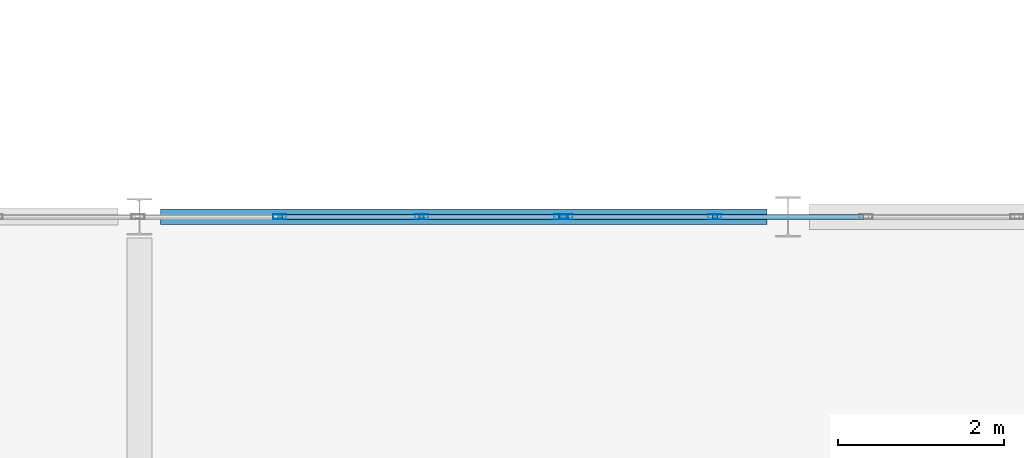
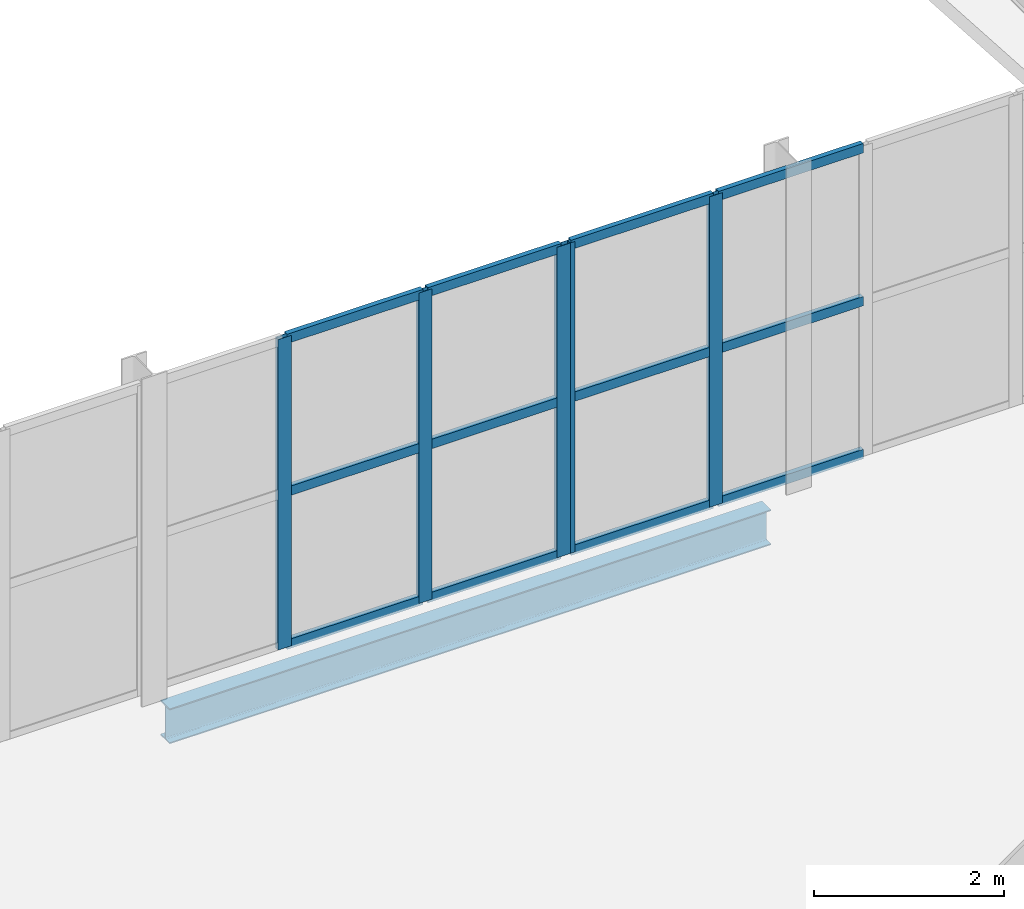
# One storey, part 68 of 121: 17 members, 1 beam, 2 elements without a shape of their own.
"""IFC4 building model written with IfcOpenShell, lengths in metres."""

from ifc_helpers import new_model, si_unit, direction, frame, origin, origin_2d, place, context, subcontext, project, spatial, hollow_rectangle, i_section, extrude, material, layer, layer_set, material_profile, profile_set, type_object, element, aggregate, save


model = new_model("IFC4")

# Units and contexts
model_context = context("Model", 3, precision=1e-05, world=origin(), true_north=direction((0.0, 1.0)))
body_context = subcontext(model_context, "Body", "Model", "MODEL_VIEW")
ifc_project = project(units=[si_unit("LENGTHUNIT", "METRE"), si_unit("AREAUNIT", "SQUARE_METRE"), si_unit("VOLUMEUNIT", "CUBIC_METRE"), si_unit("PLANEANGLEUNIT", "RADIAN"), si_unit("MASSUNIT", "GRAM", prefix="KILO")], contexts=[model_context])

# Site, building, storey
site_placement = place(None, origin())
site = spatial("IfcSite", under=ifc_project, at=site_placement, CompositionType="ELEMENT")
building_placement = place(site_placement, origin())
building = spatial("IfcBuilding", under=site, at=building_placement, Name="Vinh Khe Railworks Police Headquarters", CompositionType="ELEMENT")
storey_placement = place(building_placement, frame((0.0, 0.0, 4.800048828125)))
storey = spatial("IfcBuildingStorey", under=building, at=storey_placement, Name="L01", CompositionType="ELEMENT", Elevation=4.800048828125)

# Curtain wall, members
ifc_material_1 = material(Name="Anodised aluminium and solar-control glass", Category="aluminium")
ifc_layer = layer(ifc_material_1, 0.159912109375)
ifc_layer_set = layer_set([ifc_layer], Name="Anodised aluminium and solar-control glass")
curtain_wall_type = type_object("IfcCurtainWallType", Name="CW-SHOPFRONT", PredefinedType="USERDEFINED", material=ifc_layer_set)
curtain_wall_1_placement = place(storey_placement, origin())
curtain_wall_1 = element("IfcCurtainWall", 1, at=curtain_wall_1_placement, inside=storey, type_object=curtain_wall_type, Name="Link Bridge North Glazing L01 Bay 5", ObjectType="UNITISED GLAZING", PredefinedType="USERDEFINED")
ifc_material_2 = material(Name="Anodised aluminium 6063-T6", Category="aluminium")
ifc_material_profile_1 = material_profile(ifc_material_2, hollow_rectangle(XDim=0.06005859375, YDim=0.159912109375, WallThickness=0.00390625, at=origin_2d()), Name="CW-M 60x160x4")
ifc_profile_set_1 = profile_set([ifc_material_profile_1], Name="Anodised aluminium 6063-T6")
member_type_1 = type_object("IfcMemberType", Name="MULL-CWM-01", PredefinedType="MULLION", material=ifc_profile_set_1)
member_1_placement = place(storey_placement, frame((65.2880859375, 104.39990234375, 0.0), z_axis=(0.0, 0.0, 1.0), x_axis=(0.0, 1.0, 0.0)))
member_1 = element("IfcMember", 2, at=member_1_placement, type_object=member_type_1, Name="CW-03 mullion 4", PredefinedType="MULLION", context=body_context, shape_type="SweptSolid", body=[
    extrude(hollow_rectangle(XDim=0.06005859375, YDim=0.159912109375, WallThickness=0.00390625, at=origin_2d()), origin(), (0.0, 0.0, 1.0), 3.97998046875),
])
member_2_placement = place(storey_placement, frame((66.993896484375, 104.39990234375, 0.0), z_axis=(0.0, 0.0, 1.0), x_axis=(0.0, 1.0, 0.0)))
member_2 = element("IfcMember", 3, at=member_2_placement, type_object=member_type_1, Name="CW-03 mullion 5", PredefinedType="MULLION", context=body_context, shape_type="SweptSolid", body=[
    extrude(hollow_rectangle(XDim=0.06005859375, YDim=0.159912109375, WallThickness=0.00390625, at=origin_2d()), origin(), (0.0, 0.0, 1.0), 3.97998046875),
])
member_3_placement = place(storey_placement, frame((68.669921875, 104.39990234375, 0.0), z_axis=(0.0, 0.0, 1.0), x_axis=(0.0, 1.0, 0.0)))
member_3 = element("IfcMember", 4, at=member_3_placement, type_object=member_type_1, Name="CW-03 mullion 6", PredefinedType="MULLION", context=body_context, shape_type="SweptSolid", body=[
    extrude(hollow_rectangle(XDim=0.06005859375, YDim=0.159912109375, WallThickness=0.00390625, at=origin_2d()), origin(), (0.0, 0.0, 1.0), 3.97998046875),
])

curtain_wall_2_placement = place(storey_placement, origin())
curtain_wall_2 = element("IfcCurtainWall", 5, at=curtain_wall_2_placement, inside=storey, type_object=curtain_wall_type, Name="Link Bridge North Glazing L01 Bay 6", ObjectType="UNITISED GLAZING", PredefinedType="USERDEFINED")
member_4_placement = place(storey_placement, frame((68.72998046875, 104.39990234375, 0.0), z_axis=(0.0, 0.0, 1.0), x_axis=(0.0, 1.0, 0.0)))
member_4 = element("IfcMember", 6, at=member_4_placement, type_object=member_type_1, Name="CW-03 mullion 1", PredefinedType="MULLION", context=body_context, shape_type="SweptSolid", body=[
    extrude(hollow_rectangle(XDim=0.06005859375, YDim=0.159912109375, WallThickness=0.00390625, at=origin_2d()), origin(), (0.0, 0.0, 1.0), 3.97998046875),
])
member_5_placement = place(storey_placement, frame((70.51708984375, 104.39990234375, 0.0), z_axis=(0.0, 0.0, 1.0), x_axis=(0.0, 1.0, 0.0)))
member_5 = element("IfcMember", 7, at=member_5_placement, type_object=member_type_1, Name="CW-03 mullion 2", PredefinedType="MULLION", context=body_context, shape_type="SweptSolid", body=[
    extrude(hollow_rectangle(XDim=0.06005859375, YDim=0.159912109375, WallThickness=0.00390625, at=origin_2d()), origin(), (0.0, 0.0, 1.0), 3.97998046875),
])

# Beam
ifc_material_3 = material(Name="Steel S355JR", Category="steel")
ifc_material_profile_2 = material_profile(ifc_material_3, i_section(OverallWidth=0.18994140625, OverallDepth=0.449951171875, WebThickness=0.009521484375, FlangeThickness=0.0146484375, FilletRadius=0.02099609375, at=origin_2d()), Name="IPE 450")
ifc_profile_set_2 = profile_set([ifc_material_profile_2], Name="Steel S355JR")
beam_type = type_object("IfcBeamType", Name="Steel Girder IPE 450", PredefinedType="BEAM", material=ifc_profile_set_2)
beam_placement = place(storey_placement, frame((63.85498046875, 104.39990234375, -0.465087890625), z_axis=(1.0, 0.0, 0.0), x_axis=(0.0, 1.0, 0.0)))
element("IfcBeam", 8, at=beam_placement, inside=storey, type_object=beam_type, Name="Girder BM-L01-EW-SB-20-0498", PredefinedType="BEAM", context=body_context, shape_type="SweptSolid", body=[
    extrude(i_section(OverallWidth=0.18994140625, OverallDepth=0.449951171875, WebThickness=0.009521484375, FlangeThickness=0.0146484375, FilletRadius=0.02099609375, at=origin_2d()), origin(), (0.0, 0.0, 1.0), 7.2900390625),
])

# Member
ifc_material_profile_3 = material_profile(ifc_material_2, hollow_rectangle(XDim=0.06005859375, YDim=0.1201171875, WallThickness=0.00390625, at=origin_2d()), Name="CW-T 60x120x4")
ifc_profile_set_3 = profile_set([ifc_material_profile_3], Name="Anodised aluminium 6063-T6")
member_type_2 = type_object("IfcMemberType", Name="TRAN-CWT-01", PredefinedType="USERDEFINED", material=ifc_profile_set_3)
member_6_placement = place(storey_placement, frame((65.318115234375, 104.39990234375, 0.030029296875), z_axis=(1.0, 0.0, 0.0), x_axis=(0.0, 1.0, 0.0)))
member_6 = element("IfcMember", 9, at=member_6_placement, type_object=member_type_2, Name="CW-03 transom 4.1", ObjectType="TRANSOM", PredefinedType="USERDEFINED", context=body_context, shape_type="SweptSolid", body=[
    extrude(hollow_rectangle(XDim=0.06005859375, YDim=0.1201171875, WallThickness=0.00390625, at=origin_2d()), origin(), (0.0, 0.0, 1.0), 1.64599609375),
])

member_7_placement = place(storey_placement, frame((65.318115234375, 104.39990234375, 1.989990234375), z_axis=(1.0, 0.0, 0.0), x_axis=(0.0, 1.0, 0.0)))
member_7 = element("IfcMember", 10, at=member_7_placement, type_object=member_type_2, Name="CW-03 transom 4.2", ObjectType="TRANSOM", PredefinedType="USERDEFINED", context=body_context, shape_type="SweptSolid", body=[
    extrude(hollow_rectangle(XDim=0.06005859375, YDim=0.1201171875, WallThickness=0.00390625, at=origin_2d()), origin(), (0.0, 0.0, 1.0), 1.64599609375),
])

member_8_placement = place(storey_placement, frame((65.318115234375, 104.39990234375, 3.949951171875), z_axis=(1.0, 0.0, 0.0), x_axis=(0.0, 1.0, 0.0)))
member_8 = element("IfcMember", 11, at=member_8_placement, type_object=member_type_2, Name="CW-03 transom 4.3", ObjectType="TRANSOM", PredefinedType="USERDEFINED", context=body_context, shape_type="SweptSolid", body=[
    extrude(hollow_rectangle(XDim=0.06005859375, YDim=0.1201171875, WallThickness=0.00390625, at=origin_2d()), origin(), (0.0, 0.0, 1.0), 1.64599609375),
])

member_9_placement = place(storey_placement, frame((67.02392578125, 104.39990234375, 0.030029296875), z_axis=(1.0, 0.0, 0.0), x_axis=(0.0, 1.0, 0.0)))
member_9 = element("IfcMember", 12, at=member_9_placement, type_object=member_type_2, Name="CW-03 transom 5.1", ObjectType="TRANSOM", PredefinedType="USERDEFINED", context=body_context, shape_type="SweptSolid", body=[
    extrude(hollow_rectangle(XDim=0.06005859375, YDim=0.1201171875, WallThickness=0.00390625, at=origin_2d()), origin(), (0.0, 0.0, 1.0), 1.615966796875),
])

member_10_placement = place(storey_placement, frame((67.02392578125, 104.39990234375, 1.989990234375), z_axis=(1.0, 0.0, 0.0), x_axis=(0.0, 1.0, 0.0)))
member_10 = element("IfcMember", 13, at=member_10_placement, type_object=member_type_2, Name="CW-03 transom 5.2", ObjectType="TRANSOM", PredefinedType="USERDEFINED", context=body_context, shape_type="SweptSolid", body=[
    extrude(hollow_rectangle(XDim=0.06005859375, YDim=0.1201171875, WallThickness=0.00390625, at=origin_2d()), origin(), (0.0, 0.0, 1.0), 1.615966796875),
])

member_11_placement = place(storey_placement, frame((67.02392578125, 104.39990234375, 3.949951171875), z_axis=(1.0, 0.0, 0.0), x_axis=(0.0, 1.0, 0.0)))
member_11 = element("IfcMember", 14, at=member_11_placement, type_object=member_type_2, Name="CW-03 transom 5.3", ObjectType="TRANSOM", PredefinedType="USERDEFINED", context=body_context, shape_type="SweptSolid", body=[
    extrude(hollow_rectangle(XDim=0.06005859375, YDim=0.1201171875, WallThickness=0.00390625, at=origin_2d()), origin(), (0.0, 0.0, 1.0), 1.615966796875),
])

aggregate(curtain_wall_1, [member_1, member_2, member_3, member_6, member_7, member_8, member_9, member_10, member_11])

member_12_placement = place(storey_placement, frame((68.760009765625, 104.39990234375, 0.030029296875), z_axis=(1.0, 0.0, 0.0), x_axis=(0.0, 1.0, 0.0)))
member_12 = element("IfcMember", 15, at=member_12_placement, type_object=member_type_2, Name="CW-03 transom 1.1", ObjectType="TRANSOM", PredefinedType="USERDEFINED", context=body_context, shape_type="SweptSolid", body=[
    extrude(hollow_rectangle(XDim=0.06005859375, YDim=0.1201171875, WallThickness=0.00390625, at=origin_2d()), origin(), (0.0, 0.0, 1.0), 1.72705078125),
])

member_13_placement = place(storey_placement, frame((68.760009765625, 104.39990234375, 1.989990234375), z_axis=(1.0, 0.0, 0.0), x_axis=(0.0, 1.0, 0.0)))
member_13 = element("IfcMember", 16, at=member_13_placement, type_object=member_type_2, Name="CW-03 transom 1.2", ObjectType="TRANSOM", PredefinedType="USERDEFINED", context=body_context, shape_type="SweptSolid", body=[
    extrude(hollow_rectangle(XDim=0.06005859375, YDim=0.1201171875, WallThickness=0.00390625, at=origin_2d()), origin(), (0.0, 0.0, 1.0), 1.72705078125),
])

member_14_placement = place(storey_placement, frame((68.760009765625, 104.39990234375, 3.949951171875), z_axis=(1.0, 0.0, 0.0), x_axis=(0.0, 1.0, 0.0)))
member_14 = element("IfcMember", 17, at=member_14_placement, type_object=member_type_2, Name="CW-03 transom 1.3", ObjectType="TRANSOM", PredefinedType="USERDEFINED", context=body_context, shape_type="SweptSolid", body=[
    extrude(hollow_rectangle(XDim=0.06005859375, YDim=0.1201171875, WallThickness=0.00390625, at=origin_2d()), origin(), (0.0, 0.0, 1.0), 1.72705078125),
])

member_15_placement = place(storey_placement, frame((70.547119140625, 104.39990234375, 0.030029296875), z_axis=(1.0, 0.0, 0.0), x_axis=(0.0, 1.0, 0.0)))
member_15 = element("IfcMember", 18, at=member_15_placement, type_object=member_type_2, Name="CW-03 transom 2.1", ObjectType="TRANSOM", PredefinedType="USERDEFINED", context=body_context, shape_type="SweptSolid", body=[
    extrude(hollow_rectangle(XDim=0.06005859375, YDim=0.1201171875, WallThickness=0.00390625, at=origin_2d()), origin(), (0.0, 0.0, 1.0), 1.7568359375),
])

member_16_placement = place(storey_placement, frame((70.547119140625, 104.39990234375, 1.989990234375), z_axis=(1.0, 0.0, 0.0), x_axis=(0.0, 1.0, 0.0)))
member_16 = element("IfcMember", 19, at=member_16_placement, type_object=member_type_2, Name="CW-03 transom 2.2", ObjectType="TRANSOM", PredefinedType="USERDEFINED", context=body_context, shape_type="SweptSolid", body=[
    extrude(hollow_rectangle(XDim=0.06005859375, YDim=0.1201171875, WallThickness=0.00390625, at=origin_2d()), origin(), (0.0, 0.0, 1.0), 1.7568359375),
])

member_17_placement = place(storey_placement, frame((70.547119140625, 104.39990234375, 3.949951171875), z_axis=(1.0, 0.0, 0.0), x_axis=(0.0, 1.0, 0.0)))
member_17 = element("IfcMember", 20, at=member_17_placement, type_object=member_type_2, Name="CW-03 transom 2.3", ObjectType="TRANSOM", PredefinedType="USERDEFINED", context=body_context, shape_type="SweptSolid", body=[
    extrude(hollow_rectangle(XDim=0.06005859375, YDim=0.1201171875, WallThickness=0.00390625, at=origin_2d()), origin(), (0.0, 0.0, 1.0), 1.7568359375),
])

aggregate(curtain_wall_2, [member_4, member_5, member_12, member_13, member_14, member_15, member_16, member_17])

save(model, "model.ifc")
